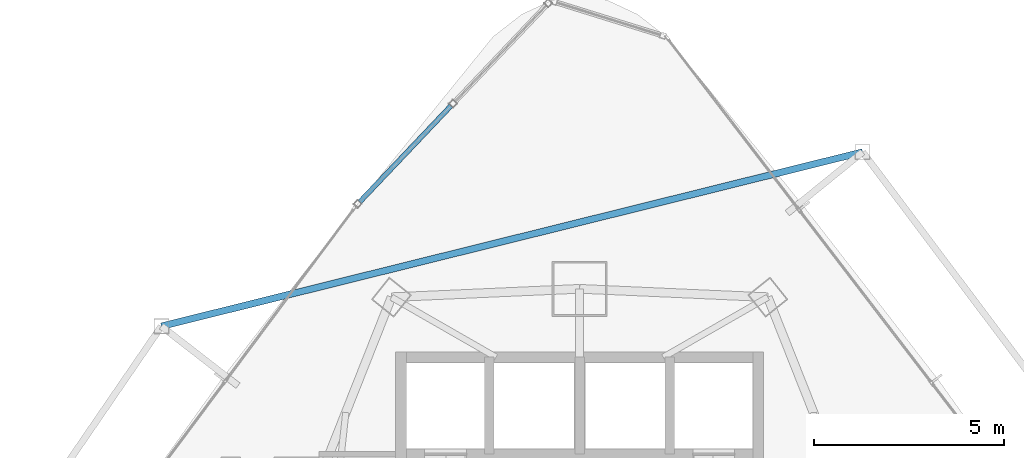
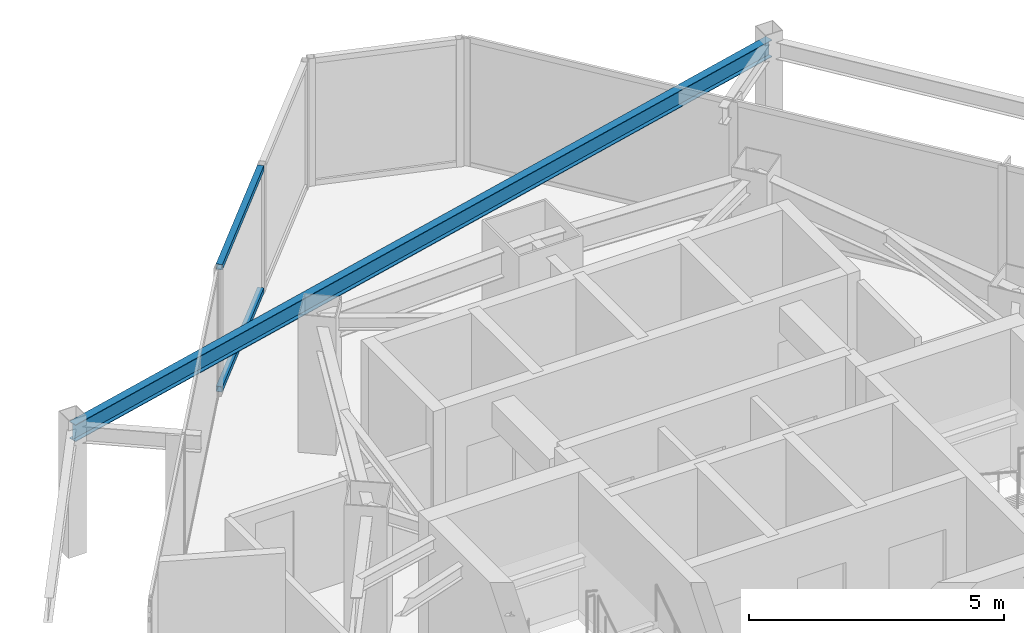
# One storey, part 22 of 31: 2 members, 1 beam, 1 element without a shape of its own.
"""IFC4 building model written with IfcOpenShell, lengths in metres."""

from ifc_helpers import new_model, si_unit, direction, frame, origin, origin_2d, place, context, subcontext, project, spatial, hollow_rectangle, i_section, extrude, material, layer, layer_set, material_profile, profile_set, type_object, element, aggregate, save


model = new_model("IFC4")

# Units and contexts
model_context = context("Model", 3, precision=1e-05, world=origin(), true_north=direction((0.0, 1.0)))
body_context = subcontext(model_context, "Body", "Model", "MODEL_VIEW")
ifc_project = project(units=[si_unit("LENGTHUNIT", "METRE"), si_unit("AREAUNIT", "SQUARE_METRE"), si_unit("VOLUMEUNIT", "CUBIC_METRE"), si_unit("PLANEANGLEUNIT", "RADIAN"), si_unit("MASSUNIT", "GRAM", prefix="KILO")], contexts=[model_context])

# Site, building, storey
site_placement = place(None, origin())
site = spatial("IfcSite", under=ifc_project, at=site_placement, CompositionType="ELEMENT")
building_placement = place(site_placement, origin())
building = spatial("IfcBuilding", under=site, at=building_placement, Name="Orvanel Arch Residences", CompositionType="ELEMENT")
storey_placement = place(building_placement, frame((0.0, 0.0, 126.5)))
storey = spatial("IfcBuildingStorey", under=building, at=storey_placement, Name="L35", CompositionType="ELEMENT", Elevation=126.5)

# Beam
ifc_material_1 = material(Name="Structural steel AS/NZS 3679.1 Grade 300 (300 MPa)", Category="steel")
ifc_material_profile_1 = material_profile(ifc_material_1, i_section(OverallWidth=0.177978515625, OverallDepth=0.406005859375, WebThickness=0.0078125, FlangeThickness=0.0126953125, at=origin_2d()), Name="410UB59.7")
ifc_profile_set_1 = profile_set([ifc_material_profile_1], Name="Structural steel AS/NZS 3679.1 Grade 300 (300 MPa)")
beam_type = type_object("IfcBeamType", Name="OB-410UB-EXT", PredefinedType="SPANDREL", material=ifc_profile_set_1)
beam_placement = place(storey_placement, frame((40.443115234375, 44.9951171875, 2.85693359375), z_axis=(-0.970515386825, -0.241039175105, 0.0), x_axis=(0.241039175105, -0.970515386825, 0.0)))
element("IfcBeam", 1, at=beam_placement, inside=storey, type_object=beam_type, Name="L35 Outer Perimeter Floor Ring Beam 12", PredefinedType="SPANDREL", context=body_context, shape_type="SweptSolid", body=[
    extrude(i_section(OverallWidth=0.177978515625, OverallDepth=0.406005859375, WebThickness=0.0078125, FlangeThickness=0.0126953125, at=origin_2d()), origin(), (0.0, 0.0, 1.0), 19.00537109375),
])

# Curtain wall, members
ifc_material_2 = material(Name="Bronze-anodised aluminium AA6063-T6", Category="aluminium")
ifc_layer = layer(ifc_material_2, 0.18994140625)
ifc_layer_set = layer_set([ifc_layer], Name="Bronze-anodised aluminium AA6063-T6")
curtain_wall_type = type_object("IfcCurtainWallType", Name="CW5-CRN-SYS", PredefinedType="NOTDEFINED", material=ifc_layer_set)
curtain_wall_placement = place(storey_placement, origin())
curtain_wall = element("IfcCurtainWall", 2, at=curtain_wall_placement, inside=storey, type_object=curtain_wall_type, Name="L35 CW5-CRN-SYS Unitised Curtain Wall", PredefinedType="NOTDEFINED")
ifc_material_profile_2 = material_profile(ifc_material_2, hollow_rectangle(XDim=0.1298828125, YDim=0.1298828125, WallThickness=0.00439453125, at=origin_2d()), Name="ALU130x130x4.5")
ifc_profile_set_2 = profile_set([ifc_material_profile_2], Name="Bronze-anodised aluminium AA6063-T6")
member_type = type_object("IfcMemberType", Name="TRN-130x130", PredefinedType="USERDEFINED", material=ifc_profile_set_2)
member_1_placement = place(storey_placement, frame((29.616943359375, 46.213134765625, 0.06494140625), z_axis=(-0.68857290794, -0.725167118981, 0.0), x_axis=(0.725167118981, -0.68857290794, 0.0)))
member_1 = element("IfcMember", 3, at=member_1_placement, type_object=member_type, Name="CW-S5 transom 2.1", ObjectType="TRANSOM", PredefinedType="USERDEFINED", context=body_context, shape_type="SweptSolid", body=[
    extrude(hollow_rectangle(XDim=0.1298828125, YDim=0.1298828125, WallThickness=0.00439453125, at=origin_2d()), origin(), (0.0, 0.0, 1.0), 3.4892578125),
])
member_2_placement = place(storey_placement, frame((29.616943359375, 46.213134765625, 2.9951171875), z_axis=(-0.68857290794, -0.725167118981, 0.0), x_axis=(0.725167118981, -0.68857290794, 0.0)))
member_2 = element("IfcMember", 4, at=member_2_placement, type_object=member_type, Name="CW-S5 transom 2.2", ObjectType="TRANSOM", PredefinedType="USERDEFINED", context=body_context, shape_type="SweptSolid", body=[
    extrude(hollow_rectangle(XDim=0.1298828125, YDim=0.1298828125, WallThickness=0.00439453125, at=origin_2d()), origin(), (0.0, 0.0, 1.0), 3.4892578125),
])
aggregate(curtain_wall, [member_1, member_2])

save(model, "model.ifc")
